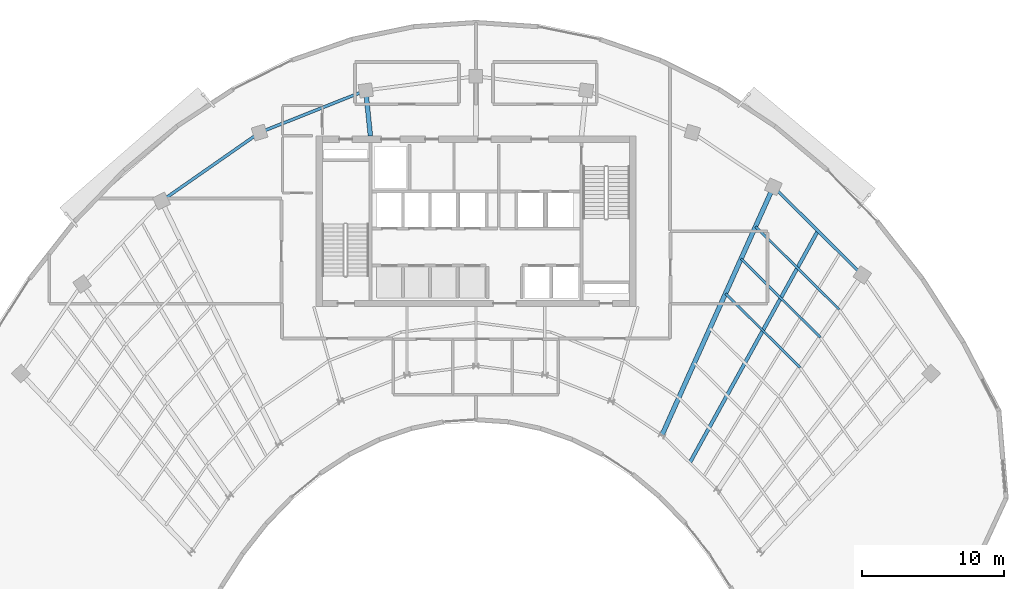
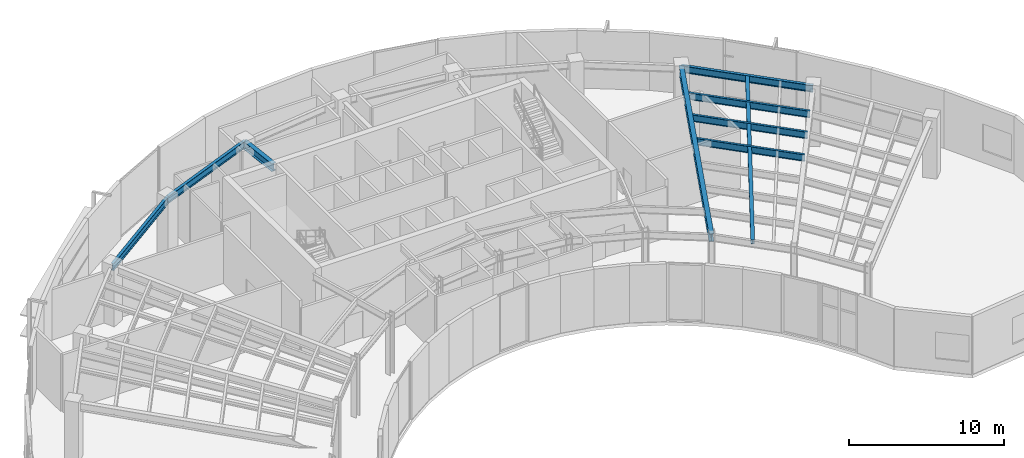
# One storey, part 4 of 15: 9 beams.
"""IFC4 building model written with IfcOpenShell, lengths in metres."""

from ifc_helpers import new_model, si_unit, direction, frame, origin, origin_2d, place, context, subcontext, project, spatial, i_section, extrude, source, transform, mapped, material, material_profile, profile_set, type_object, element, save


model = new_model("IFC4")

# Units and contexts
model_context = context("Model", 3, precision=1e-05, world=origin(), true_north=direction((0.0, 1.0)))
body_context = subcontext(model_context, "Body", "Model", "MODEL_VIEW")
ifc_project = project(units=[si_unit("LENGTHUNIT", "METRE"), si_unit("AREAUNIT", "SQUARE_METRE"), si_unit("VOLUMEUNIT", "CUBIC_METRE"), si_unit("PLANEANGLEUNIT", "RADIAN"), si_unit("MASSUNIT", "GRAM", prefix="KILO")], contexts=[model_context])

# Site, building, storey
site_placement = place(None, origin())
site = spatial("IfcSite", under=ifc_project, at=site_placement, CompositionType="ELEMENT")
building_placement = place(site_placement, origin())
building = spatial("IfcBuilding", under=site, at=building_placement, Name="Breltana Convention Tower", CompositionType="ELEMENT")
storey_placement = place(building_placement, frame((0.0, 0.0, 199.199951171875)))
storey = spatial("IfcBuildingStorey", under=building, at=storey_placement, Name="L48", CompositionType="ELEMENT", Elevation=199.199951171875)

# Beams
ifc_material = material(Name="Steel ASTM A992 Grade 50", Category="steel")
ifc_material_profile_1 = material_profile(ifc_material, i_section(OverallWidth=0.25390625, OverallDepth=0.305908203125, WebThickness=0.0087890625, FlangeThickness=0.0146484375, at=origin_2d()), Name="W12X53")
ifc_profile_set_1 = profile_set([ifc_material_profile_1], Name="Steel ASTM A992 Grade 50")
beam_type_1 = type_object("IfcBeamType", Name="BM-JSG-10", PredefinedType="JOIST", material=ifc_profile_set_1)
shared_shape_1 = source(origin(), body_context, "Body", "SweptSolid", [
    extrude(i_section(OverallWidth=0.25390625, OverallDepth=0.305908203125, WebThickness=0.0087890625, FlangeThickness=0.0146484375, at=origin_2d()), origin(), (0.0, 0.0, 1.0), 18.617431640625),
])
beam_1_placement = place(storey_placement, frame((63.038818359375, 49.234130859375, 4.386962890625), z_axis=(0.483405602507, 0.875396495004, 0.0), x_axis=(-0.875396495004, 0.483405602507, 0.0)))
element("IfcBeam", 1, at=beam_1_placement, inside=storey, type_object=beam_type_1, Name="L48 Mid-Bay Radial Trimmer 09", PredefinedType="JOIST", context=body_context, shape_type="MappedRepresentation", body=[
    mapped(shared_shape_1, transform((0.0, 0.0, 0.0), scale=1.0)),
])
ifc_material_profile_2 = material_profile(ifc_material, i_section(OverallWidth=0.166015625, OverallDepth=0.534912109375, WebThickness=0.01025390625, FlangeThickness=0.0166015625, at=origin_2d()), Name="W21X57")
ifc_profile_set_2 = profile_set([ifc_material_profile_2], Name="Steel ASTM A992 Grade 50")
beam_type_2 = type_object("IfcBeamType", Name="BM-JSG-05", PredefinedType="JOIST", material=ifc_profile_set_2)
shared_shape_2 = source(origin(), body_context, "Body", "SweptSolid", [
    extrude(i_section(OverallWidth=0.166015625, OverallDepth=0.534912109375, WebThickness=0.01025390625, FlangeThickness=0.0166015625, at=origin_2d()), origin(), (0.0, 0.0, 1.0), 7.391845703125),
])
beam_2_placement = place(storey_placement, frame((65.544189453125, 61.1259765625, 4.2724609375), z_axis=(0.710105958319, -0.704094828812, 0.0), x_axis=(0.704094828812, 0.710105958319, 0.0)))
element("IfcBeam", 2, at=beam_2_placement, inside=storey, type_object=beam_type_2, Name="L48 Composite Floor Joist 09.4", PredefinedType="JOIST", context=body_context, shape_type="MappedRepresentation", body=[
    mapped(shared_shape_2, transform((0.0, 0.0, 0.0), scale=1.0)),
])
shared_shape_3 = source(origin(), body_context, "Body", "SweptSolid", [
    extrude(i_section(OverallWidth=0.166015625, OverallDepth=0.534912109375, WebThickness=0.01025390625, FlangeThickness=0.0166015625, at=origin_2d()), origin(), (0.0, 0.0, 1.0), 7.853759765625),
])
beam_3_placement = place(storey_placement, frame((66.64013671875, 63.5703125, 4.2724609375), z_axis=(0.710115639208, -0.70408506514, 0.0), x_axis=(0.70408506514, 0.710115639208, 0.0)))
element("IfcBeam", 3, at=beam_3_placement, inside=storey, type_object=beam_type_2, Name="L48 Composite Floor Joist 09.5", PredefinedType="JOIST", context=body_context, shape_type="MappedRepresentation", body=[
    mapped(shared_shape_3, transform((0.0, 0.0, 0.0), scale=1.0)),
])
shared_shape_4 = source(origin(), body_context, "Body", "SweptSolid", [
    extrude(i_section(OverallWidth=0.166015625, OverallDepth=0.534912109375, WebThickness=0.01025390625, FlangeThickness=0.0166015625, at=origin_2d()), origin(), (0.0, 0.0, 1.0), 8.2822265625),
])
beam_4_placement = place(storey_placement, frame((67.657958984375, 65.83984375, 4.2724609375), z_axis=(0.710107068817, -0.704093708832, 0.0), x_axis=(0.704093708832, 0.710107068817, 0.0)))
element("IfcBeam", 4, at=beam_4_placement, inside=storey, type_object=beam_type_2, Name="L48 Composite Floor Joist 09.6", PredefinedType="JOIST", context=body_context, shape_type="MappedRepresentation", body=[
    mapped(shared_shape_4, transform((0.0, 0.0, 0.0), scale=1.0)),
])
ifc_material_profile_3 = material_profile(ifc_material, i_section(OverallWidth=0.326904296875, OverallDepth=0.6220703125, WebThickness=0.015380859375, FlangeThickness=0.0244140625, at=origin_2d()), Name="W24X131")
ifc_profile_set_3 = profile_set([ifc_material_profile_3], Name="Steel ASTM A992 Grade 50")
beam_type_3 = type_object("IfcBeamType", Name="BM-RG-W24X131", PredefinedType="USERDEFINED", material=ifc_profile_set_3)
shared_shape_5 = source(origin(), body_context, "Body", "SweptSolid", [
    extrude(i_section(OverallWidth=0.326904296875, OverallDepth=0.6220703125, WebThickness=0.015380859375, FlangeThickness=0.0244140625, at=origin_2d()), origin(), (0.0, 0.0, 1.0), 3.220947265625),
])
beam_5_placement = place(storey_placement, frame((40.580078125, 72.199951171875, 4.22900390625), z_axis=(-0.101492254858, 0.994836329355, 0.0), x_axis=(-0.994836329355, -0.101492254858, 0.0)))
element("IfcBeam", 5, at=beam_5_placement, inside=storey, type_object=beam_type_3, Name="L48 North Core Radial Girder R05", ObjectType="GIRDER", PredefinedType="USERDEFINED", context=body_context, shape_type="MappedRepresentation", body=[
    mapped(shared_shape_5, transform((0.0, 0.0, 0.0), scale=1.0)),
])
shared_shape_6 = source(origin(), body_context, "Body", "SweptSolid", [
    extrude(i_section(OverallWidth=0.326904296875, OverallDepth=0.6220703125, WebThickness=0.015380859375, FlangeThickness=0.0244140625, at=origin_2d()), origin(), (0.0, 0.0, 1.0), 19.133544921875),
])
beam_6_placement = place(storey_placement, frame((61.08203125, 51.174560546875, 4.22900390625), z_axis=(0.409144564164, 0.912469575172, 0.0), x_axis=(-0.912469575172, 0.409144564164, 0.0)))
element("IfcBeam", 6, at=beam_6_placement, inside=storey, type_object=beam_type_3, Name="L48 Radial Floor Girder R09", ObjectType="GIRDER", PredefinedType="USERDEFINED", context=body_context, shape_type="MappedRepresentation", body=[
    mapped(shared_shape_6, transform((0.0, 0.0, 0.0), scale=1.0)),
])
ifc_material_profile_4 = material_profile(ifc_material, i_section(OverallWidth=0.214111328125, OverallDepth=0.549072265625, WebThickness=0.0146484375, FlangeThickness=0.023681640625, at=origin_2d()), Name="W21X93")
ifc_profile_set_4 = profile_set([ifc_material_profile_4], Name="Steel ASTM A992 Grade 50")
beam_type_4 = type_object("IfcBeamType", Name="BM-SP-W21X93", PredefinedType="SPANDREL", material=ifc_profile_set_4)
shared_shape_7 = source(origin(), body_context, "Body", "SweptSolid", [
    extrude(i_section(OverallWidth=0.214111328125, OverallDepth=0.549072265625, WebThickness=0.0146484375, FlangeThickness=0.023681640625, at=origin_2d()), origin(), (0.0, 0.0, 1.0), 8.4169921875),
])
beam_7_placement = place(storey_placement, frame((25.8876953125, 67.626953125, 4.265625), z_axis=(0.820173800102, 0.572114444519, 0.0), x_axis=(-0.572114444519, 0.820173800102, 0.0)))
element("IfcBeam", 7, at=beam_7_placement, inside=storey, type_object=beam_type_4, Name="L48 Outer Spandrel Beam 03", PredefinedType="SPANDREL", context=body_context, shape_type="MappedRepresentation", body=[
    mapped(shared_shape_7, transform((0.0, 0.0, 0.0), scale=1.0)),
])
shared_shape_8 = source(origin(), body_context, "Body", "SweptSolid", [
    extrude(i_section(OverallWidth=0.214111328125, OverallDepth=0.549072265625, WebThickness=0.0146484375, FlangeThickness=0.023681640625, at=origin_2d()), origin(), (0.0, 0.0, 1.0), 8.028564453125),
])
beam_8_placement = place(storey_placement, frame((32.791015625, 72.4423828125, 4.265625), z_axis=(0.929459100394, 0.368925169507, 0.0), x_axis=(-0.368925169507, 0.929459100394, 0.0)))
element("IfcBeam", 8, at=beam_8_placement, inside=storey, type_object=beam_type_4, Name="L48 Outer Spandrel Beam 04", PredefinedType="SPANDREL", context=body_context, shape_type="MappedRepresentation", body=[
    mapped(shared_shape_8, transform((0.0, 0.0, 0.0), scale=1.0)),
])
shared_shape_9 = source(origin(), body_context, "Body", "SweptSolid", [
    extrude(i_section(OverallWidth=0.214111328125, OverallDepth=0.549072265625, WebThickness=0.0146484375, FlangeThickness=0.023681640625, at=origin_2d()), origin(), (0.0, 0.0, 1.0), 8.810302734375),
])
beam_9_placement = place(storey_placement, frame((68.910400390625, 68.63330078125, 4.265625), z_axis=(0.710120823582, -0.704079836322, 0.0), x_axis=(0.704079836322, 0.710120823582, 0.0)))
element("IfcBeam", 9, at=beam_9_placement, inside=storey, type_object=beam_type_4, Name="L48 Outer Spandrel Beam 09", PredefinedType="SPANDREL", context=body_context, shape_type="MappedRepresentation", body=[
    mapped(shared_shape_9, transform((0.0, 0.0, 0.0), scale=1.0)),
])

save(model, "model.ifc")
